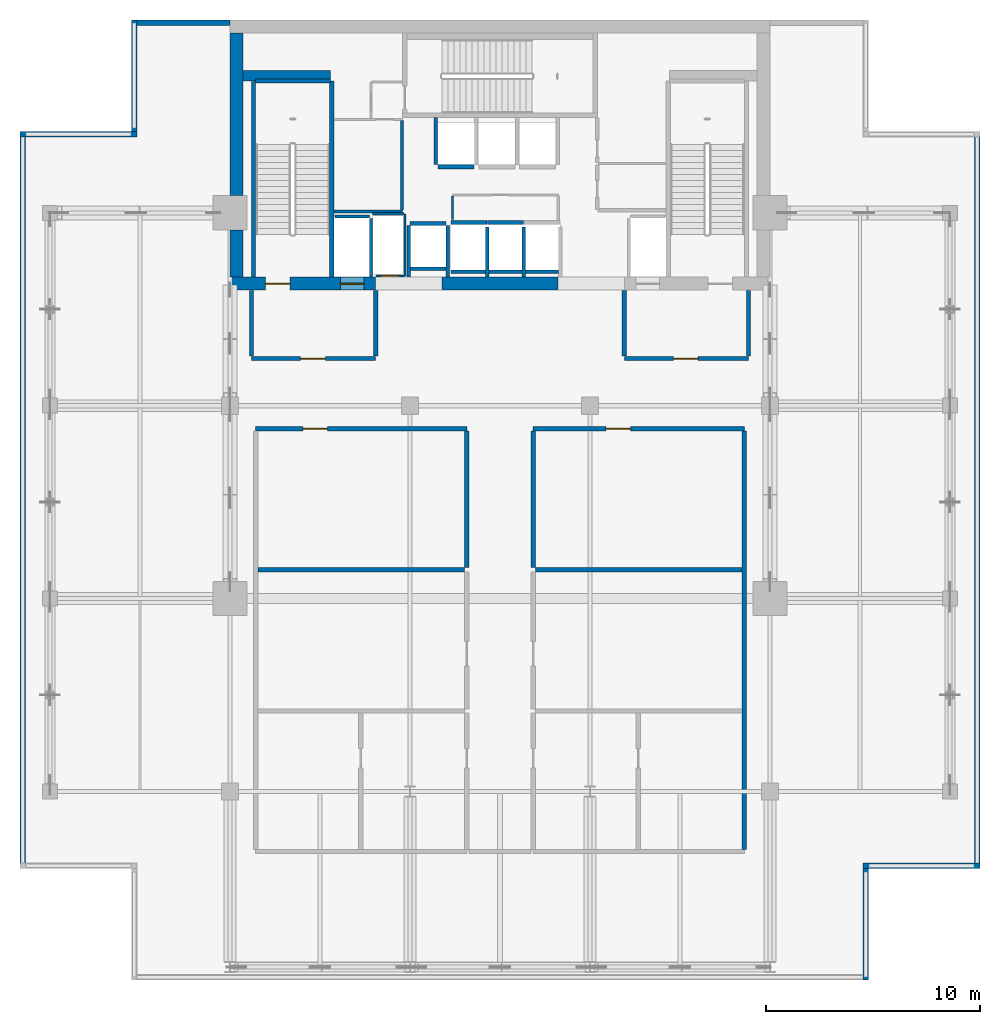
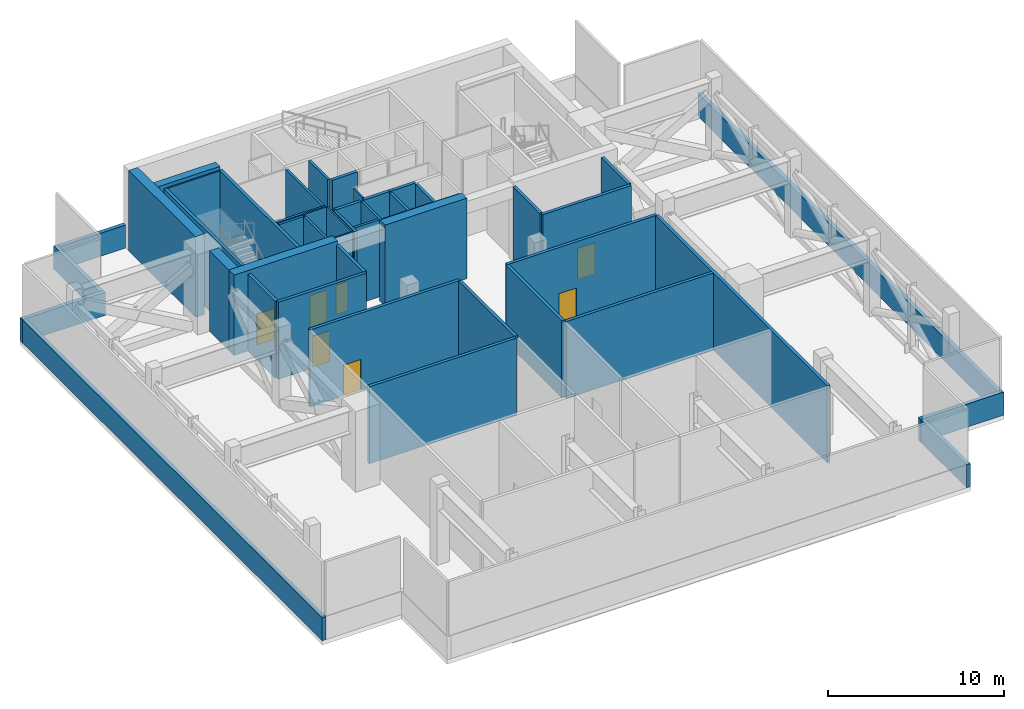
# One storey, part 6 of 11: 47 walls, 7 doors, 7 openings.
"""IFC4 building model written with IfcOpenShell, lengths in metres."""

from ifc_helpers import new_model, si_unit, direction, frame, frame_2d, origin, place, context, subcontext, project, spatial, rectangle, extrude, material, layer, layer_set, type_object, element, fill, save


model = new_model("IFC4")

# Units and contexts
model_context = context("Model", 3, precision=1e-05, world=origin(), true_north=direction((0.0, 1.0)))
body_context = subcontext(model_context, "Body", "Model", "MODEL_VIEW")
ifc_project = project(units=[si_unit("LENGTHUNIT", "METRE"), si_unit("AREAUNIT", "SQUARE_METRE"), si_unit("VOLUMEUNIT", "CUBIC_METRE"), si_unit("PLANEANGLEUNIT", "RADIAN"), si_unit("MASSUNIT", "GRAM", prefix="KILO")], contexts=[model_context])

# Site, building, storey
site_placement = place(None, origin())
site = spatial("IfcSite", under=ifc_project, at=site_placement, CompositionType="ELEMENT")
building_placement = place(site_placement, origin())
building = spatial("IfcBuilding", under=site, at=building_placement, Name="Maruvema Waterfront Hotel and Observation Tower", CompositionType="ELEMENT")
storey_placement = place(building_placement, frame((0.0, 0.0, 316.39990234375)))
storey = spatial("IfcBuildingStorey", under=building, at=storey_placement, Name="L78", CompositionType="ELEMENT", Elevation=316.39990234375)

# Walls
ifc_material_1 = material(Name="Twin-stud acoustic gypsum drywall", Category="gypsum")
ifc_layer_1 = layer(ifc_material_1, 0.14990234375, Name="Acoustic Corridor and Suite Demising Wall 150 mm")
ifc_layer_set_1 = layer_set([ifc_layer_1], Name="Twin-stud acoustic gypsum drywall")
wall_type_1 = type_object("IfcWallType", Name="Acoustic Corridor and Suite Demising Wall 150 mm", PredefinedType="PARTITIONING", material=ifc_layer_set_1)
wall_1_placement = place(storey_placement, frame((30.06005859375, 45.06005859375, 0.0), z_axis=(0.0, 0.0, 1.0), x_axis=(1.0, 0.0, 0.0)))
element("IfcWall", 1, at=wall_1_placement, inside=storey, type_object=wall_type_1, Name="L78 Freed B1 South Wall 013", PredefinedType="PARTITIONING", context=body_context, shape_type="SweptSolid", body=[
    extrude(rectangle(XDim=3.179931640625, YDim=0.14990234375, at=frame_2d((1.58984375, 0.0))), origin(), (0.0, 0.0, 1.0), 5.360107421875),
])
wall_2_placement = place(storey_placement, frame((33.219970703125, 45.139892578125, 0.0), z_axis=(0.0, 0.0, 1.0), x_axis=(0.0, 1.0, 0.0)))
element("IfcWall", 2, at=wall_2_placement, inside=storey, type_object=wall_type_1, Name="L78 Freed B1 East Wall 014", PredefinedType="PARTITIONING", context=body_context, shape_type="SweptSolid", body=[
    extrude(rectangle(XDim=4.16015625, YDim=0.14990234375, at=frame_2d((2.080078125, 0.0))), origin(), (0.0, 0.0, 1.0), 5.360107421875),
])
ifc_material_2 = material(Name="Precast concrete C45/55", Category="concrete")
ifc_layer_2 = layer(ifc_material_2, 0.199951171875, Name="Core Shaft and Stairwell Enclosure Wall 200 mm")
ifc_layer_set_2 = layer_set([ifc_layer_2], Name="Precast concrete C45/55")
wall_type_2 = type_object("IfcWallType", Name="Core Shaft and Stairwell Enclosure Wall 200 mm", PredefinedType="SOLIDWALL", material=ifc_layer_set_2)
wall_3_placement = place(storey_placement, frame((29.949951171875, 42.0, 0.0), z_axis=(0.0, 0.0, 1.0), x_axis=(0.0, 1.0, 0.0)))
element("IfcWall", 3, at=wall_3_placement, inside=storey, type_object=wall_type_2, Name="L78 Stairwell ST-01 East Shaft Wall", PredefinedType="SOLIDWALL", context=body_context, shape_type="SweptSolid", body=[
    extrude(rectangle(XDim=9.14990234375, YDim=0.199951171875, at=frame_2d((4.574951171875, 0.0))), origin(), (0.0, 0.0, 1.0), 5.360107421875),
])
wall_4_placement = place(storey_placement, frame((26.300048828125, 42.0, 0.0), z_axis=(0.0, 0.0, 1.0), x_axis=(0.0, 1.0, 0.0)))
element("IfcWall", 4, at=wall_4_placement, inside=storey, type_object=wall_type_2, Name="L78 Stairwell ST-01 Shaft Lining Wall", PredefinedType="SOLIDWALL", context=body_context, shape_type="SweptSolid", body=[
    extrude(rectangle(XDim=9.1201171875, YDim=0.199951171875, at=frame_2d((4.56005859375, 0.0))), origin(), (0.0, 0.0, 1.0), 5.360107421875),
])
wall_5_placement = place(storey_placement, frame((26.3798828125, 51.14990234375, 0.0), z_axis=(0.0, 0.0, 1.0), x_axis=(1.0, 0.0, 0.0)))
element("IfcWall", 5, at=wall_5_placement, inside=storey, type_object=wall_type_2, Name="L78 Stairwell ST-01 Shaft Lining Wall", PredefinedType="SOLIDWALL", context=body_context, shape_type="SweptSolid", body=[
    extrude(rectangle(XDim=3.5, YDim=0.199951171875, at=frame_2d((1.75, 0.0))), origin(), (0.0, 0.0, 1.0), 5.360107421875),
])
for number, where, z_axis, x_axis, name in (
    (6, (35.510009765625, 44.550048828125, 0.0), (0.0, 0.0, 1.0), (1.0, 0.0, 0.0), "L78 Lift LF-09 Hoistway Front Wall"),
    (7, (37.2099609375, 44.550048828125, 0.0), (0.0, 0.0, 1.0), (1.0, 0.0, 0.0), "L78 Lift LF-10 Hoistway Front Wall"),
):
    element("IfcWall", number, at=place(storey_placement, frame(where, z_axis=z_axis, x_axis=x_axis)), inside=storey, type_object=wall_type_2, Name=name, PredefinedType="SOLIDWALL", context=body_context, shape_type="SweptSolid", body=[
        extrude(rectangle(XDim=1.679931640625, YDim=0.199951171875, at=frame_2d((0.83984375, 0.0))), origin(), (0.0, 0.0, 1.0), 5.360107421875),
    ])
wall_6_placement = place(storey_placement, frame((34.909912109375, 47.14990234375, 0.0), z_axis=(0.0, 0.0, 1.0), x_axis=(1.0, 0.0, 0.0)))
element("IfcWall", 8, at=wall_6_placement, inside=storey, type_object=wall_type_2, Name="L78 Lift LF-12 Hoistway Front Wall", PredefinedType="SOLIDWALL", context=body_context, shape_type="SweptSolid", body=[
    extrude(rectangle(XDim=1.68017578125, YDim=0.199951171875, at=frame_2d((0.840087890625, 0.0))), origin(), (0.0, 0.0, 1.0), 5.360107421875),
])
wall_7_placement = place(storey_placement, frame((33.610107421875, 44.5, 0.0), z_axis=(0.0, 0.0, 1.0), x_axis=(1.0, 0.0, 0.0)))
element("IfcWall", 9, at=wall_7_placement, inside=storey, type_object=wall_type_2, Name="L78 Lift LF-15 Hoistway Front Wall", PredefinedType="SOLIDWALL", context=body_context, shape_type="SweptSolid", body=[
    extrude(rectangle(XDim=1.679931640625, YDim=0.199951171875, at=frame_2d((0.83984375, 0.0))), origin(), (0.0, 0.0, 1.0), 5.360107421875),
])
ifc_material_3 = material(Name="Concrete C70/85", Category="concrete")
ifc_layer_3 = layer(ifc_material_3, 0.5, Name="Core Shear Wall 500 mm")
ifc_layer_set_3 = layer_set([ifc_layer_3], Name="Concrete C70/85")
wall_type_3 = type_object("IfcWallType", Name="Core Shear Wall 500 mm", PredefinedType="SHEAR", material=ifc_layer_set_3)
wall_8_placement = place(storey_placement, frame((25.800048828125, 51.39990234375, 0.0), z_axis=(0.0, 0.0, 1.0), x_axis=(1.0, 0.0, 0.0)))
element("IfcWall", 10, at=wall_8_placement, inside=storey, type_object=wall_type_3, Name="L78 Internal Core Shear Wall NW 500 mm", PredefinedType="SHEAR", context=body_context, shape_type="SweptSolid", body=[
    extrude(rectangle(XDim=4.099853515625, YDim=0.5, at=frame_2d((2.0498046875, 0.0))), origin(), (0.0, 0.0, 1.0), 5.60009765625),
])

# Wall, openings, doors
ifc_material_4 = material(Name="Concrete C60/75", Category="concrete")
ifc_layer_4 = layer(ifc_material_4, 0.60009765625, Name="Core Shear Wall 600 mm")
ifc_layer_set_4 = layer_set([ifc_layer_4], Name="Concrete C60/75")
wall_type_4 = type_object("IfcWallType", Name="Core Shear Wall 600 mm", PredefinedType="SHEAR", material=ifc_layer_set_4)
wall_9_placement = place(storey_placement, frame((25.199951171875, 41.699951171875, 0.0), z_axis=(0.0, 0.0, 1.0), x_axis=(1.0, 0.0, 0.0)))
wall_9 = element("IfcWall", 11, at=wall_9_placement, inside=storey, type_object=wall_type_4, Name="L78 South-West Core Shear Wall", PredefinedType="SHEAR", context=body_context, shape_type="SweptSolid", body=[
    extrude(rectangle(XDim=6.800048828125, YDim=0.60009765625, at=frame_2d((3.39990234375, 0.0))), origin(), (0.0, 0.0, 1.0), 5.60009765625),
])
opening_1_placement = place(wall_9_placement, frame((1.64990234375, 0.0, 0.0)))
opening_1 = element("IfcOpeningElement", 12, at=opening_1_placement, cuts=wall_9, Name="Opening SD-01", PredefinedType="OPENING", context=body_context, shape_type="SweptSolid", body=[
    extrude(rectangle(XDim=1.14990234375, YDim=2.14990234375, at=frame_2d((0.574951171875, 1.074951171875))), frame((0.0, 0.31005859375, 0.0), z_axis=(0.0, -1.0, 0.0), x_axis=(1.0, 0.0, 0.0)), (0.0, 0.0, 1.0), 0.6201171875),
])
opening_2_placement = place(wall_9_placement, frame((5.14990234375, 0.0, 0.0)))
opening_2 = element("IfcOpeningElement", 13, at=opening_2_placement, cuts=wall_9, Name="Opening LD-03", PredefinedType="OPENING", context=body_context, shape_type="SweptSolid", body=[
    extrude(rectangle(XDim=1.10009765625, YDim=2.199951171875, at=frame_2d((0.550048828125, 1.10009765625))), frame((0.0, 0.31005859375, 0.0), z_axis=(0.0, -1.0, 0.0), x_axis=(1.0, 0.0, 0.0)), (0.0, 0.0, 1.0), 0.6201171875),
])
ifc_material_5 = material(Name="Fire-rated galvanised steel leaf", Category="steel")
door_type_1 = type_object("IfcDoorType", Name="Exit Stair Fire Door 1150x2150 mm", OperationType="NOTDEFINED", PredefinedType="DOOR", material=ifc_material_5)
door_1_placement = place(opening_1_placement, origin())
door_1 = element("IfcDoor", 14, at=door_1_placement, inside=storey, type_object=door_type_1, Name="L78 Exit Stair ST-01 Fire Door", OperationType="SINGLE_SWING_LEFT", OverallHeight=2.14990234375, OverallWidth=1.14990234375, PredefinedType="DOOR", context=body_context, shape_type="SweptSolid", body=[
    extrude(rectangle(XDim=1.14990234375, YDim=2.14990234375, at=frame_2d((0.574951171875, 1.074951171875))), frame((0.0, 0.02490234375, 0.0), z_axis=(0.0, -1.0, 0.0), x_axis=(1.0, 0.0, 0.0)), (0.0, 0.0, 1.0), 0.050048828125),
])
fill(opening_1, door_1)
ifc_material_6 = material(Name="Brushed stainless steel Grade 316", Category="steel")
door_type_2 = type_object("IfcDoorType", Name="Firefighting Lift Sliding Landing Door 1100x2200 mm", OperationType="SLIDING_TO_LEFT", PredefinedType="DOOR", material=ifc_material_6)
door_2_placement = place(opening_2_placement, frame((1.10009765625, 0.0, 0.0), z_axis=(0.0, 0.0, 1.0), x_axis=(-1.0, 0.0, 0.0)))
door_2 = element("IfcDoor", 15, at=door_2_placement, inside=storey, type_object=door_type_2, Name="L78 Firefighting Lift FL-01 Landing Door", OperationType="SLIDING_TO_LEFT", OverallHeight=2.199951171875, OverallWidth=1.10009765625, PredefinedType="DOOR", context=body_context, shape_type="SweptSolid", body=[
    extrude(rectangle(XDim=1.10009765625, YDim=2.199951171875, at=frame_2d((0.550048828125, 1.10009765625))), frame((0.0, 0.02490234375, 0.0), z_axis=(0.0, -1.0, 0.0), x_axis=(1.0, 0.0, 0.0)), (0.0, 0.0, 1.0), 0.050048828125),
])
fill(opening_2, door_2)

# Walls
wall_10_placement = place(storey_placement, frame((35.10009765625, 41.699951171875, 0.0), z_axis=(0.0, 0.0, 1.0), x_axis=(1.0, 0.0, 0.0)))
element("IfcWall", 16, at=wall_10_placement, inside=storey, type_object=wall_type_4, Name="L78 South-Central Core Shear Wall", PredefinedType="SHEAR", context=body_context, shape_type="SweptSolid", body=[
    extrude(rectangle(XDim=5.39990234375, YDim=0.60009765625, at=frame_2d((2.699951171875, 0.0))), origin(), (0.0, 0.0, 1.0), 5.60009765625),
])
wall_11_placement = place(storey_placement, frame((25.5, 42.0, 0.0), z_axis=(0.0, 0.0, 1.0), x_axis=(0.0, 1.0, 0.0)))
element("IfcWall", 17, at=wall_11_placement, inside=storey, type_object=wall_type_4, Name="L78 West-South Core Shear Wall", PredefinedType="SHEAR", context=body_context, shape_type="SweptSolid", body=[
    extrude(rectangle(XDim=2.199951171875, YDim=0.60009765625, at=frame_2d((1.10009765625, 0.0))), origin(), (0.0, 0.0, 1.0), 5.60009765625),
])
wall_12_placement = place(storey_placement, frame((25.5, 45.800048828125, 0.0), z_axis=(0.0, 0.0, 1.0), x_axis=(0.0, 1.0, 0.0)))
element("IfcWall", 18, at=wall_12_placement, inside=storey, type_object=wall_type_4, Name="L78 West-North Core Shear Wall", PredefinedType="SHEAR", context=body_context, shape_type="SweptSolid", body=[
    extrude(rectangle(XDim=7.599853515625, YDim=0.60009765625, at=frame_2d((3.7998046875, 0.0))), origin(), (0.0, 0.0, 1.0), 5.60009765625),
])

# Wall, opening, door
ifc_material_7 = material(Name="Moisture-resistant cement-board drywall", Category="gypsum")
ifc_layer_5 = layer(ifc_material_7, 0.10009765625, Name="En-Suite Moisture-Resistant Partition 100 mm")
ifc_layer_set_5 = layer_set([ifc_layer_5], Name="Moisture-resistant cement-board drywall")
wall_type_5 = type_object("IfcWallType", Name="En-Suite Moisture-Resistant Partition 100 mm", PredefinedType="PARTITIONING", material=ifc_layer_set_5)
wall_13_placement = place(storey_placement, frame((32.02001953125, 42.06005859375, 0.0), z_axis=(0.0, 0.0, 1.0), x_axis=(1.0, 0.0, 0.0)))
wall_13 = element("IfcWall", 19, at=wall_13_placement, inside=storey, type_object=wall_type_5, Name="L78 Telecom Riser South Wall 007", PredefinedType="PARTITIONING", context=body_context, shape_type="SweptSolid", body=[
    extrude(rectangle(XDim=1.320068359375, YDim=0.10009765625, at=frame_2d((0.66015625, 0.0))), origin(), (0.0, 0.0, 1.0), 5.360107421875),
])
opening_3_placement = place(wall_13_placement, frame((0.239990234375, 0.0, 0.0)))
opening_3 = element("IfcOpeningElement", 20, at=opening_3_placement, cuts=wall_13, Name="Opening DR-080", PredefinedType="OPENING", context=body_context, shape_type="SweptSolid", body=[
    extrude(rectangle(XDim=0.800048828125, YDim=2.050048828125, at=frame_2d((0.39990234375, 1.02490234375))), frame((0.0, 0.06005859375, 0.0), z_axis=(0.0, -1.0, 0.0), x_axis=(1.0, 0.0, 0.0)), (0.0, 0.0, 1.0), 0.1201171875),
])
ifc_material_8 = material(Name="Powder-coated steel access leaf", Category="steel")
door_type_3 = type_object("IfcDoorType", Name="Riser and Service Cupboard Door 800x2050 mm", OperationType="NOTDEFINED", PredefinedType="DOOR", material=ifc_material_8)
door_3_placement = place(opening_3_placement, frame((0.800048828125, 0.0, 0.0), z_axis=(0.0, 0.0, 1.0), x_axis=(-1.0, 0.0, 0.0)))
door_3 = element("IfcDoor", 21, at=door_3_placement, inside=storey, type_object=door_type_3, Name="L78 Telecom Riser Door", OperationType="SINGLE_SWING_RIGHT", OverallHeight=2.050048828125, OverallWidth=0.800048828125, PredefinedType="DOOR", context=body_context, shape_type="SweptSolid", body=[
    extrude(rectangle(XDim=0.800048828125, YDim=2.050048828125, at=frame_2d((0.39990234375, 1.02490234375))), frame((0.0, 0.02490234375, 0.0), z_axis=(0.0, -1.0, 0.0), x_axis=(1.0, 0.0, 0.0)), (0.0, 0.0, 1.0), 0.050048828125),
])
fill(opening_3, door_3)

# Walls
wall_14_placement = place(storey_placement, frame((31.840087890625, 44.9599609375, 0.0), z_axis=(0.0, 0.0, 1.0), x_axis=(1.0, 0.0, 0.0)))
element("IfcWall", 22, at=wall_14_placement, inside=storey, type_object=wall_type_5, Name="L78 Telecom Riser North Wall 008", PredefinedType="PARTITIONING", context=body_context, shape_type="SweptSolid", body=[
    extrude(rectangle(XDim=1.47998046875, YDim=0.10009765625, at=frame_2d((0.739990234375, 0.0))), origin(), (0.0, 0.0, 1.0), 5.360107421875),
])
wall_15_placement = place(storey_placement, frame((33.360107421875, 42.06005859375, 0.0), z_axis=(0.0, 0.0, 1.0), x_axis=(0.0, 1.0, 0.0)))
element("IfcWall", 23, at=wall_15_placement, inside=storey, type_object=wall_type_5, Name="L78 Telecom Riser East Wall 009", PredefinedType="PARTITIONING", context=body_context, shape_type="SweptSolid", body=[
    extrude(rectangle(XDim=2.8798828125, YDim=0.10009765625, at=frame_2d((1.43994140625, 0.0))), origin(), (0.0, 0.0, 1.0), 5.360107421875),
])
wall_16_placement = place(storey_placement, frame((35.580078125, 44.699951171875, 0.0), z_axis=(0.0, 0.0, 1.0), x_axis=(0.0, 1.0, 0.0)))
element("IfcWall", 24, at=wall_16_placement, inside=storey, type_object=wall_type_5, Name="L78 Core Closet K0 West 011", PredefinedType="PARTITIONING", context=body_context, shape_type="SweptSolid", body=[
    extrude(rectangle(XDim=1.080078125, YDim=0.10009765625, at=frame_2d((0.5400390625, 0.0))), origin(), (0.0, 0.0, 1.0), 5.360107421875),
])
ifc_material_9 = material(Name="Precast concrete C45/55 with honed Pernambuco granite facing", Category="masonry")
ifc_layer_6 = layer(ifc_material_9, 0.260009765625, Name="Exterior Granite Clad Spandrel and Pier Wall 260 mm")
ifc_layer_set_6 = layer_set([ifc_layer_6], Name="Precast concrete C45/55 with honed Pernambuco granite facing")
wall_type_6 = type_object("IfcWallType", Name="Exterior Granite Clad Spandrel and Pier Wall 260 mm", PredefinedType="SOLIDWALL", material=ifc_layer_set_6)
wall_17_placement = place(storey_placement, frame((54.8701171875, 9.199951171875, 0.0), z_axis=(0.0, 0.0, 1.0), x_axis=(0.0, 1.0, 0.0)))
element("IfcWall", 25, at=wall_17_placement, inside=storey, type_object=wall_type_6, Name="L78 Mechanical Perimeter Spandrel Wall 02", PredefinedType="SOLIDWALL", context=body_context, shape_type="SweptSolid", body=[
    extrude(rectangle(XDim=5.199951171875, YDim=0.260009765625, at=frame_2d((2.60009765625, 0.0))), origin(), (0.0, 0.0, 1.0), 1.60009765625),
])
wall_18_placement = place(storey_placement, frame((54.739990234375, 14.530029296875, 0.0), z_axis=(0.0, 0.0, 1.0), x_axis=(1.0, 0.0, 0.0)))
element("IfcWall", 26, at=wall_18_placement, inside=storey, type_object=wall_type_6, Name="L78 Mechanical Perimeter Spandrel Wall 03", PredefinedType="SOLIDWALL", context=body_context, shape_type="SweptSolid", body=[
    extrude(rectangle(XDim=5.4599609375, YDim=0.260009765625, at=frame_2d((2.72998046875, 0.0))), origin(), (0.0, 0.0, 1.0), 1.60009765625),
])
wall_19_placement = place(storey_placement, frame((60.070068359375, 14.39990234375, 0.0), z_axis=(0.0, 0.0, 1.0), x_axis=(0.0, 1.0, 0.0)))
element("IfcWall", 27, at=wall_19_placement, inside=storey, type_object=wall_type_6, Name="L78 Mechanical Perimeter Spandrel Wall 04", PredefinedType="SOLIDWALL", context=body_context, shape_type="SweptSolid", body=[
    extrude(rectangle(XDim=34.400146484375, YDim=0.260009765625, at=frame_2d((17.2001953125, 0.0))), origin(), (0.0, 0.0, 1.0), 1.60009765625),
])
wall_20_placement = place(storey_placement, frame((25.199951171875, 53.8701171875, 0.0), z_axis=(0.0, 0.0, 1.0), x_axis=(-1.0, 0.0, 0.0)))
element("IfcWall", 28, at=wall_20_placement, inside=storey, type_object=wall_type_6, Name="L78 Mechanical North-West Spandrel Wall", PredefinedType="SOLIDWALL", context=body_context, shape_type="SweptSolid", body=[
    extrude(rectangle(XDim=4.33984375, YDim=0.260009765625, at=frame_2d((2.169921875, 0.0))), origin(), (0.0, 0.0, 1.0), 1.60009765625),
])
wall_21_placement = place(storey_placement, frame((20.72998046875, 54.0, 0.0), z_axis=(0.0, 0.0, 1.0), x_axis=(0.0, -1.0, 0.0)))
element("IfcWall", 29, at=wall_21_placement, inside=storey, type_object=wall_type_6, Name="L78 Mechanical Perimeter Spandrel Wall 08", PredefinedType="SOLIDWALL", context=body_context, shape_type="SweptSolid", body=[
    extrude(rectangle(XDim=5.199951171875, YDim=0.260009765625, at=frame_2d((2.60009765625, 0.0))), origin(), (0.0, 0.0, 1.0), 1.60009765625),
])
wall_22_placement = place(storey_placement, frame((20.860107421875, 48.669921875, 0.0), z_axis=(0.0, 0.0, 1.0), x_axis=(-1.0, 0.0, 0.0)))
element("IfcWall", 30, at=wall_22_placement, inside=storey, type_object=wall_type_6, Name="L78 Mechanical Perimeter Spandrel Wall 09", PredefinedType="SOLIDWALL", context=body_context, shape_type="SweptSolid", body=[
    extrude(rectangle(XDim=5.460205078125, YDim=0.260009765625, at=frame_2d((2.72998046875, 0.0))), origin(), (0.0, 0.0, 1.0), 1.60009765625),
])
wall_23_placement = place(storey_placement, frame((15.530029296875, 48.800048828125, 0.0), z_axis=(0.0, 0.0, 1.0), x_axis=(0.0, -1.0, 0.0)))
element("IfcWall", 31, at=wall_23_placement, inside=storey, type_object=wall_type_6, Name="L78 Mechanical Perimeter Spandrel Wall 10", PredefinedType="SOLIDWALL", context=body_context, shape_type="SweptSolid", body=[
    extrude(rectangle(XDim=34.400146484375, YDim=0.260009765625, at=frame_2d((17.2001953125, 0.0))), origin(), (0.0, 0.0, 1.0), 1.60009765625),
])

# Wall, opening, door
ifc_material_10 = material(Name="Autoclaved cellular concrete blockwork", Category="masonry")
ifc_layer_7 = layer(ifc_material_10, 0.199951171875, Name="Fire Compartment Masonry Wall 200 mm")
ifc_layer_set_7 = layer_set([ifc_layer_7], Name="Autoclaved cellular concrete blockwork")
wall_type_7 = type_object("IfcWallType", Name="Fire Compartment Masonry Wall 200 mm", PredefinedType="PARTITIONING", material=ifc_layer_set_7)
wall_24_placement = place(storey_placement, frame((26.199951171875, 38.199951171875, 0.0), z_axis=(0.0, 0.0, 1.0), x_axis=(1.0, 0.0, 0.0)))
wall_24 = element("IfcWall", 32, at=wall_24_placement, inside=storey, type_object=wall_type_7, Name="L78 FFL West South Wall 001", PredefinedType="PARTITIONING", context=body_context, shape_type="SweptSolid", body=[
    extrude(rectangle(XDim=5.800048828125, YDim=0.199951171875, at=frame_2d((2.89990234375, 0.0))), origin(), (0.0, 0.0, 1.0), 5.360107421875),
])
opening_4_placement = place(wall_24_placement, frame((2.300048828125, 0.0, 0.0)))
opening_4 = element("IfcOpeningElement", 33, at=opening_4_placement, cuts=wall_24, Name="Opening FD-115", PredefinedType="OPENING", context=body_context, shape_type="SweptSolid", body=[
    extrude(rectangle(XDim=1.14990234375, YDim=2.14990234375, at=frame_2d((0.574951171875, 1.074951171875))), frame((0.0, 0.10986328125, 0.0), z_axis=(0.0, -1.0, 0.0), x_axis=(1.0, 0.0, 0.0)), (0.0, 0.0, 1.0), 0.219970703125),
])
ifc_material_11 = material(Name="Fire-rated galvanised steel and vision glass", Category="steel")
door_type_4 = type_object("IfcDoorType", Name="Firefighting Lobby Fire Door 1150x2150 mm", OperationType="NOTDEFINED", PredefinedType="DOOR", material=ifc_material_11)
door_4_placement = place(opening_4_placement, frame((1.14990234375, 0.0, 0.0), z_axis=(0.0, 0.0, 1.0), x_axis=(-1.0, 0.0, 0.0)))
door_4 = element("IfcDoor", 34, at=door_4_placement, inside=storey, type_object=door_type_4, Name="L78 Firefighting Lobby West Door", OperationType="SINGLE_SWING_RIGHT", OverallHeight=2.14990234375, OverallWidth=1.14990234375, PredefinedType="DOOR", context=body_context, shape_type="SweptSolid", body=[
    extrude(rectangle(XDim=1.14990234375, YDim=2.14990234375, at=frame_2d((0.574951171875, 1.074951171875))), frame((0.0, 0.02490234375, 0.0), z_axis=(0.0, -1.0, 0.0), x_axis=(1.0, 0.0, 0.0)), (0.0, 0.0, 1.0), 0.050048828125),
])
fill(opening_4, door_4)

# Walls
for number, where, z_axis, x_axis, name in (
    (35, (26.199951171875, 38.31005859375, 0.0), (0.0, 0.0, 1.0), (0.0, 1.0, 0.0), "L78 FFL West West Wall 002"),
    (36, (32.0, 38.31005859375, 0.0), (0.0, 0.0, 1.0), (0.0, 1.0, 0.0), "L78 FFL West East Wall 003"),
):
    element("IfcWall", number, at=place(storey_placement, frame(where, z_axis=z_axis, x_axis=x_axis)), inside=storey, type_object=wall_type_7, Name=name, PredefinedType="PARTITIONING", context=body_context, shape_type="SweptSolid", body=[
        extrude(rectangle(XDim=3.06982421875, YDim=0.199951171875, at=frame_2d((1.534912109375, 0.0))), origin(), (0.0, 0.0, 1.0), 5.360107421875),
    ])

# Wall, opening, door
wall_25_placement = place(storey_placement, frame((43.60009765625, 38.199951171875, 0.0), z_axis=(0.0, 0.0, 1.0), x_axis=(1.0, 0.0, 0.0)))
wall_25 = element("IfcWall", 37, at=wall_25_placement, inside=storey, type_object=wall_type_7, Name="L78 FFL East South Wall 004", PredefinedType="PARTITIONING", context=body_context, shape_type="SweptSolid", body=[
    extrude(rectangle(XDim=5.7998046875, YDim=0.199951171875, at=frame_2d((2.89990234375, 0.0))), origin(), (0.0, 0.0, 1.0), 5.360107421875),
])
opening_5_placement = place(wall_25_placement, frame((2.300048828125, 0.0, 0.0)))
opening_5 = element("IfcOpeningElement", 38, at=opening_5_placement, cuts=wall_25, Name="Opening FD-115", PredefinedType="OPENING", context=body_context, shape_type="SweptSolid", body=[
    extrude(rectangle(XDim=1.14990234375, YDim=2.14990234375, at=frame_2d((0.574951171875, 1.074951171875))), frame((0.0, 0.10986328125, 0.0), z_axis=(0.0, -1.0, 0.0), x_axis=(1.0, 0.0, 0.0)), (0.0, 0.0, 1.0), 0.219970703125),
])
door_5_placement = place(opening_5_placement, frame((1.14990234375, 0.0, 0.0), z_axis=(0.0, 0.0, 1.0), x_axis=(-1.0, 0.0, 0.0)))
door_5 = element("IfcDoor", 39, at=door_5_placement, inside=storey, type_object=door_type_4, Name="L78 Firefighting Lobby East Door", OperationType="SINGLE_SWING_LEFT", OverallHeight=2.14990234375, OverallWidth=1.14990234375, PredefinedType="DOOR", context=body_context, shape_type="SweptSolid", body=[
    extrude(rectangle(XDim=1.14990234375, YDim=2.14990234375, at=frame_2d((0.574951171875, 1.074951171875))), frame((0.0, 0.02490234375, 0.0), z_axis=(0.0, -1.0, 0.0), x_axis=(1.0, 0.0, 0.0)), (0.0, 0.0, 1.0), 0.050048828125),
])
fill(opening_5, door_5)

# Walls
for number, where, z_axis, x_axis, name in (
    (40, (43.60009765625, 38.31005859375, 0.0), (0.0, 0.0, 1.0), (0.0, 1.0, 0.0), "L78 FFL East West Wall 005"),
    (41, (49.39990234375, 38.31005859375, 0.0), (0.0, 0.0, 1.0), (0.0, 1.0, 0.0), "L78 FFL East East Wall 006"),
):
    element("IfcWall", number, at=place(storey_placement, frame(where, z_axis=z_axis, x_axis=x_axis)), inside=storey, type_object=wall_type_7, Name=name, PredefinedType="PARTITIONING", context=body_context, shape_type="SweptSolid", body=[
        extrude(rectangle(XDim=3.06982421875, YDim=0.199951171875, at=frame_2d((1.534912109375, 0.0))), origin(), (0.0, 0.0, 1.0), 5.360107421875),
    ])

# Wall, opening, door
wall_26_placement = place(storey_placement, frame((26.39990234375, 34.919921875, 0.0), z_axis=(0.0, 0.0, 1.0), x_axis=(1.0, 0.0, 0.0)))
wall_26 = element("IfcWall", 42, at=wall_26_placement, inside=storey, type_object=wall_type_7, Name="L78 L78 West N Wall 022", PredefinedType="PARTITIONING", context=body_context, shape_type="SweptSolid", body=[
    extrude(rectangle(XDim=9.85009765625, YDim=0.199951171875, at=frame_2d((4.925048828125, 0.0))), origin(), (0.0, 0.0, 1.0), 5.360107421875),
])
opening_6_placement = place(wall_26_placement, frame((2.199951171875, 0.0, 0.0)))
opening_6 = element("IfcOpeningElement", 43, at=opening_6_placement, cuts=wall_26, Name="Opening FD-115", PredefinedType="OPENING", context=body_context, shape_type="SweptSolid", body=[
    extrude(rectangle(XDim=1.14990234375, YDim=2.14990234375, at=frame_2d((0.574951171875, 1.074951171875))), frame((0.0, 0.10986328125, 0.0), z_axis=(0.0, -1.0, 0.0), x_axis=(1.0, 0.0, 0.0)), (0.0, 0.0, 1.0), 0.219970703125),
])
door_6_placement = place(opening_6_placement, origin())
door_6 = element("IfcDoor", 44, at=door_6_placement, inside=storey, type_object=door_type_4, Name="L78 L78 Refuge Area North-West Door", OperationType="SINGLE_SWING_RIGHT", OverallHeight=2.14990234375, OverallWidth=1.14990234375, PredefinedType="DOOR", context=body_context, shape_type="SweptSolid", body=[
    extrude(rectangle(XDim=1.14990234375, YDim=2.14990234375, at=frame_2d((0.574951171875, 1.074951171875))), frame((0.0, 0.02490234375, 0.0), z_axis=(0.0, -1.0, 0.0), x_axis=(1.0, 0.0, 0.0)), (0.0, 0.0, 1.0), 0.050048828125),
])
fill(opening_6, door_6)

# Walls
wall_27_placement = place(storey_placement, frame((26.5, 28.35009765625, 0.0), z_axis=(0.0, 0.0, 1.0), x_axis=(1.0, 0.0, 0.0)))
element("IfcWall", 45, at=wall_27_placement, inside=storey, type_object=wall_type_7, Name="L78 L78 West Refuge Mid 023", PredefinedType="PARTITIONING", context=body_context, shape_type="SweptSolid", body=[
    extrude(rectangle(XDim=9.64990234375, YDim=0.199951171875, at=frame_2d((4.824951171875, 0.0))), origin(), (0.0, 0.0, 1.0), 5.360107421875),
])
wall_28_placement = place(storey_placement, frame((36.25, 28.449951171875, 0.0), z_axis=(0.0, 0.0, 1.0), x_axis=(0.0, 1.0, 0.0)))
element("IfcWall", 46, at=wall_28_placement, inside=storey, type_object=wall_type_7, Name="L78 L78 West Spine Upper 027", PredefinedType="PARTITIONING", context=body_context, shape_type="SweptSolid", body=[
    extrude(rectangle(XDim=6.3701171875, YDim=0.199951171875, at=frame_2d((3.18505859375, 0.0))), origin(), (0.0, 0.0, 1.0), 5.360107421875),
])

# Wall, opening, door
wall_29_placement = place(storey_placement, frame((39.35009765625, 34.919921875, 0.0), z_axis=(0.0, 0.0, 1.0), x_axis=(1.0, 0.0, 0.0)))
wall_29 = element("IfcWall", 47, at=wall_29_placement, inside=storey, type_object=wall_type_7, Name="L78 L78 East N Wall 031", PredefinedType="PARTITIONING", context=body_context, shape_type="SweptSolid", body=[
    extrude(rectangle(XDim=9.849853515625, YDim=0.199951171875, at=frame_2d((4.9248046875, 0.0))), origin(), (0.0, 0.0, 1.0), 5.360107421875),
])
opening_7_placement = place(wall_29_placement, frame((3.39990234375, 0.0, 0.0)))
opening_7 = element("IfcOpeningElement", 48, at=opening_7_placement, cuts=wall_29, Name="Opening FD-115", PredefinedType="OPENING", context=body_context, shape_type="SweptSolid", body=[
    extrude(rectangle(XDim=1.14990234375, YDim=2.14990234375, at=frame_2d((0.574951171875, 1.074951171875))), frame((0.0, 0.10986328125, 0.0), z_axis=(0.0, -1.0, 0.0), x_axis=(1.0, 0.0, 0.0)), (0.0, 0.0, 1.0), 0.219970703125),
])
door_7_placement = place(opening_7_placement, origin())
door_7 = element("IfcDoor", 49, at=door_7_placement, inside=storey, type_object=door_type_4, Name="L78 L78 Refuge Area North-East Door", OperationType="SINGLE_SWING_RIGHT", OverallHeight=2.14990234375, OverallWidth=1.14990234375, PredefinedType="DOOR", context=body_context, shape_type="SweptSolid", body=[
    extrude(rectangle(XDim=1.14990234375, YDim=2.14990234375, at=frame_2d((0.574951171875, 1.074951171875))), frame((0.0, 0.02490234375, 0.0), z_axis=(0.0, -1.0, 0.0), x_axis=(1.0, 0.0, 0.0)), (0.0, 0.0, 1.0), 0.050048828125),
])
fill(opening_7, door_7)

# Walls
wall_30_placement = place(storey_placement, frame((39.449951171875, 28.35009765625, 0.0), z_axis=(0.0, 0.0, 1.0), x_axis=(1.0, 0.0, 0.0)))
element("IfcWall", 50, at=wall_30_placement, inside=storey, type_object=wall_type_7, Name="L78 L78 East Refuge Mid 032", PredefinedType="PARTITIONING", context=body_context, shape_type="SweptSolid", body=[
    extrude(rectangle(XDim=9.650146484375, YDim=0.199951171875, at=frame_2d((4.8251953125, 0.0))), origin(), (0.0, 0.0, 1.0), 5.360107421875),
])
wall_31_placement = place(storey_placement, frame((49.199951171875, 15.300048828125, 0.0), z_axis=(0.0, 0.0, 1.0), x_axis=(0.0, 1.0, 0.0)))
element("IfcWall", 51, at=wall_31_placement, inside=storey, type_object=wall_type_7, Name="L78 L78 East Outer Wall 035", PredefinedType="PARTITIONING", context=body_context, shape_type="SweptSolid", body=[
    extrude(rectangle(XDim=19.52001953125, YDim=0.199951171875, at=frame_2d((9.760009765625, 0.0))), origin(), (0.0, 0.0, 1.0), 5.360107421875),
])
wall_32_placement = place(storey_placement, frame((39.35009765625, 28.449951171875, 0.0), z_axis=(0.0, 0.0, 1.0), x_axis=(0.0, 1.0, 0.0)))
element("IfcWall", 52, at=wall_32_placement, inside=storey, type_object=wall_type_7, Name="L78 L78 East Spine Upper 036", PredefinedType="PARTITIONING", context=body_context, shape_type="SweptSolid", body=[
    extrude(rectangle(XDim=6.3701171875, YDim=0.199951171875, at=frame_2d((3.18505859375, 0.0))), origin(), (0.0, 0.0, 1.0), 5.360107421875),
])
ifc_material_12 = material(Name="Precast concrete C45/55", Category="concrete")
ifc_layer_8 = layer(ifc_material_12, 0.159912109375, Name="Lift Hoistway Divider Wall 160 mm")
ifc_layer_set_8 = layer_set([ifc_layer_8], Name="Precast concrete C45/55")
wall_type_8 = type_object("IfcWallType", Name="Lift Hoistway Divider Wall 160 mm", PredefinedType="SOLIDWALL", material=ifc_layer_set_8)
wall_33_placement = place(storey_placement, frame((30.10009765625, 44.830078125, 0.0), z_axis=(0.0, 0.0, 1.0), x_axis=(1.0, 0.0, 0.0)))
element("IfcWall", 53, at=wall_33_placement, inside=storey, type_object=wall_type_8, Name="L78 Lift FL-01 Rear Hoistway Wall", PredefinedType="SOLIDWALL", context=body_context, shape_type="SweptSolid", body=[
    extrude(rectangle(XDim=1.599853515625, YDim=0.159912109375, at=frame_2d((0.7998046875, 0.0))), origin(), (0.0, 0.0, 1.0), 5.360107421875),
])
wall_34_placement = place(storey_placement, frame((31.780029296875, 42.0, 0.0), z_axis=(0.0, 0.0, 1.0), x_axis=(0.0, 1.0, 0.0)))
element("IfcWall", 54, at=wall_34_placement, inside=storey, type_object=wall_type_8, Name="L78 Lift FL-01 Inner Hoistway Wall", PredefinedType="SOLIDWALL", context=body_context, shape_type="SweptSolid", body=[
    extrude(rectangle(XDim=2.739990234375, YDim=0.159912109375, at=frame_2d((1.3701171875, 0.0))), origin(), (0.0, 0.0, 1.0), 5.360107421875),
])
for number, where, z_axis, x_axis, name in (
    (55, (37.199951171875, 42.0, 0.0), (0.0, 0.0, 1.0), (0.0, 1.0, 0.0), "L78 Hoistway Divider Wall"),
    (56, (38.89990234375, 42.0, 0.0), (0.0, 0.0, 1.0), (0.0, 1.0, 0.0), "L78 Hoistway Divider Wall"),
):
    element("IfcWall", number, at=place(storey_placement, frame(where, z_axis=z_axis, x_axis=x_axis)), inside=storey, type_object=wall_type_8, Name=name, PredefinedType="SOLIDWALL", context=body_context, shape_type="SweptSolid", body=[
        extrude(rectangle(XDim=2.35009765625, YDim=0.159912109375, at=frame_2d((1.175048828125, 0.0))), origin(), (0.0, 0.0, 1.0), 5.360107421875),
    ])
wall_35_placement = place(storey_placement, frame((35.52001953125, 42.260009765625, 0.0), z_axis=(0.0, 0.0, 1.0), x_axis=(1.0, 0.0, 0.0)))
element("IfcWall", 57, at=wall_35_placement, inside=storey, type_object=wall_type_8, Name="L78 Hoistway Divider Wall", PredefinedType="SOLIDWALL", context=body_context, shape_type="SweptSolid", body=[
    extrude(rectangle(XDim=5.02001953125, YDim=0.159912109375, at=frame_2d((2.510009765625, 0.0))), origin(), (0.0, 0.0, 1.0), 5.360107421875),
])
wall_36_placement = place(storey_placement, frame((34.800048828125, 47.25, 0.0), z_axis=(0.0, 0.0, 1.0), x_axis=(0.0, 1.0, 0.0)))
element("IfcWall", 58, at=wall_36_placement, inside=storey, type_object=wall_type_8, Name="L78 Hoistway Divider Wall", PredefinedType="SOLIDWALL", context=body_context, shape_type="SweptSolid", body=[
    extrude(rectangle(XDim=2.18994140625, YDim=0.159912109375, at=frame_2d((1.094970703125, 0.0))), origin(), (0.0, 0.0, 1.0), 5.360107421875),
])
for number, where, z_axis, x_axis, name in (
    (59, (33.5400390625, 42.0, 0.0), (0.0, 0.0, 1.0), (0.0, 1.0, 0.0), "L78 Hoistway Divider Wall"),
    (60, (35.360107421875, 42.0, 0.0), (0.0, 0.0, 1.0), (0.0, 1.0, 0.0), "L78 Hoistway Divider Wall"),
):
    element("IfcWall", number, at=place(storey_placement, frame(where, z_axis=z_axis, x_axis=x_axis)), inside=storey, type_object=wall_type_8, Name=name, PredefinedType="SOLIDWALL", context=body_context, shape_type="SweptSolid", body=[
        extrude(rectangle(XDim=2.39990234375, YDim=0.159912109375, at=frame_2d((1.199951171875, 0.0))), origin(), (0.0, 0.0, 1.0), 5.360107421875),
    ])
wall_37_placement = place(storey_placement, frame((33.6201171875, 42.39990234375, 0.0), z_axis=(0.0, 0.0, 1.0), x_axis=(1.0, 0.0, 0.0)))
element("IfcWall", 61, at=wall_37_placement, inside=storey, type_object=wall_type_8, Name="L78 Hoistway Divider Wall", PredefinedType="SOLIDWALL", context=body_context, shape_type="SweptSolid", body=[
    extrude(rectangle(XDim=1.659912109375, YDim=0.159912109375, at=frame_2d((0.830078125, 0.0))), origin(), (0.0, 0.0, 1.0), 5.360107421875),
])

save(model, "model.ifc")
